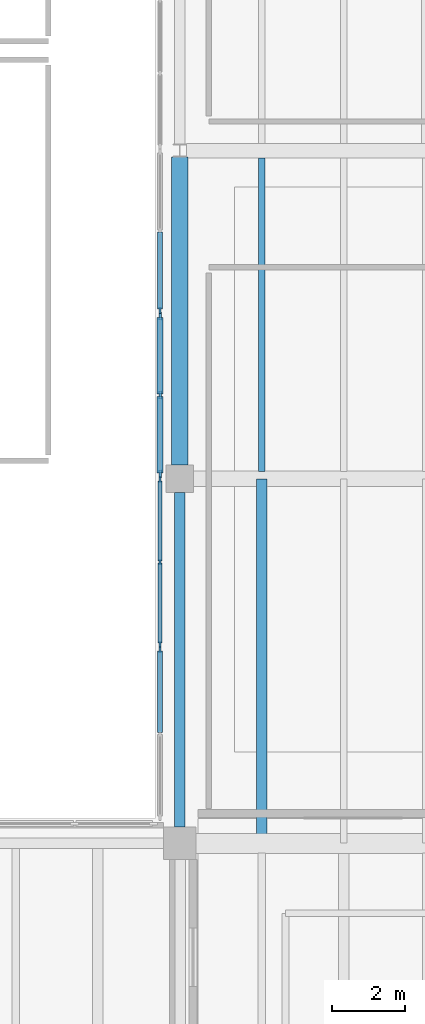
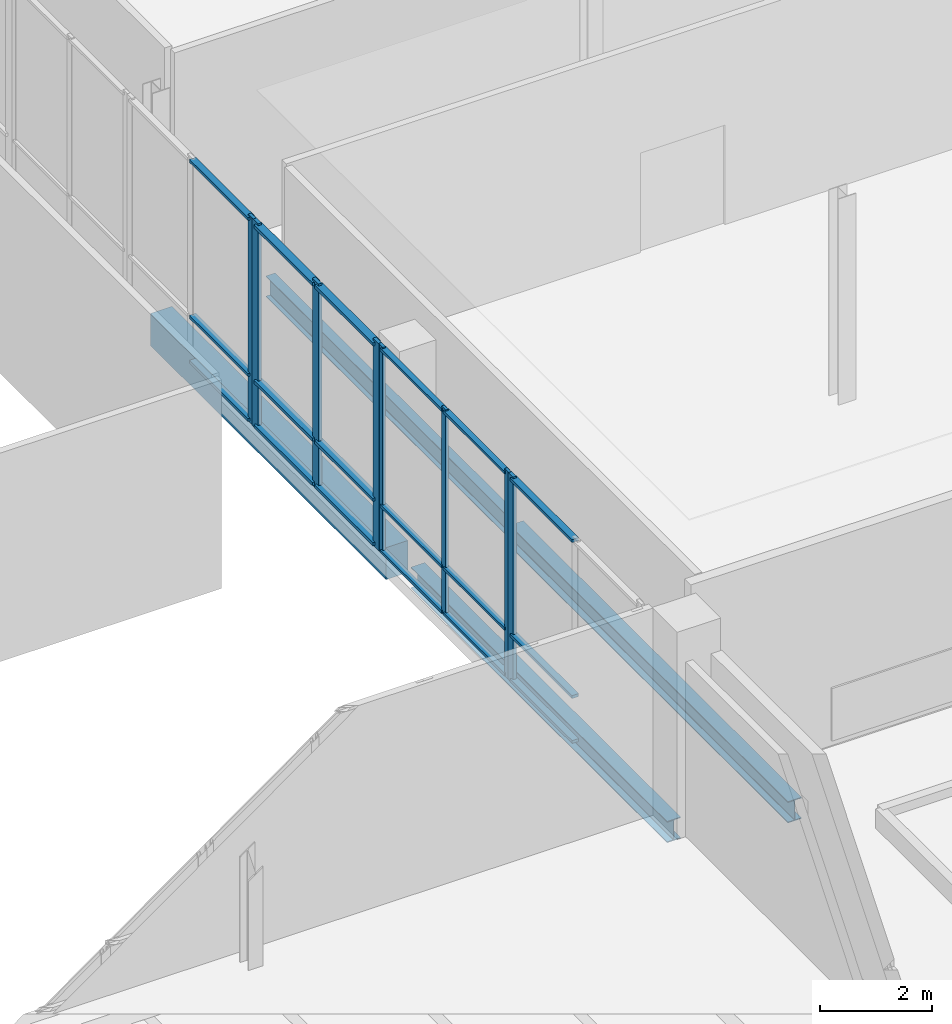
# One storey, part 11 of 30: 26 members, 4 beams, 4 elements without a shape of their own.
"""IFC4 building model written with IfcOpenShell, lengths in metres."""

from ifc_helpers import new_model, si_unit, direction, frame, origin, origin_2d, place, context, subcontext, project, spatial, rectangle, i_section, extrude, material, material_profile, profile_set, type_object, element, aggregate, save


model = new_model("IFC4")

# Units and contexts
model_context = context("Model", 3, precision=1e-05, world=origin(), true_north=direction((0.0, 1.0)))
body_context = subcontext(model_context, "Body", "Model", "MODEL_VIEW")
ifc_project = project(units=[si_unit("LENGTHUNIT", "METRE"), si_unit("AREAUNIT", "SQUARE_METRE"), si_unit("VOLUMEUNIT", "CUBIC_METRE"), si_unit("PLANEANGLEUNIT", "RADIAN"), si_unit("MASSUNIT", "GRAM", prefix="KILO")], contexts=[model_context])

# Site, building, storey
site_placement = place(None, origin())
site = spatial("IfcSite", under=ifc_project, at=site_placement, CompositionType="ELEMENT")
building_placement = place(site_placement, origin())
building = spatial("IfcBuilding", under=site, at=building_placement, Name="Trimount Lyric Opera House", CompositionType="ELEMENT")
storey_placement = place(building_placement, frame((0.0, 0.0, 24.800048828125)))
storey = spatial("IfcBuildingStorey", under=building, at=storey_placement, Name="L05", CompositionType="ELEMENT", Elevation=24.800048828125)

# Beams
ifc_material_1 = material(Name="Steel ASTM A992 Grade 50", Category="steel")
ifc_material_profile_1 = material_profile(ifc_material_1, i_section(OverallWidth=0.281982421875, OverallDepth=0.467041015625, WebThickness=0.01220703125, FlangeThickness=0.01953125, FilletRadius=0.012939453125, at=origin_2d()), Name="W18X86")
ifc_profile_set_1 = profile_set([ifc_material_profile_1], Name="Steel ASTM A992 Grade 50")
beam_type_1 = type_object("IfcBeamType", Name="J-03", PredefinedType="BEAM", material=ifc_profile_set_1)
beam_1_placement = place(storey_placement, frame((47.25, 74.011962890625, -0.58349609375), z_axis=(0.0, 1.0, 0.0), x_axis=(-1.0, 0.0, 0.0)))
element("IfcBeam", 1, at=beam_1_placement, inside=storey, type_object=beam_type_1, Name="L05 composite floor joist 1253", PredefinedType="BEAM", context=body_context, shape_type="SweptSolid", body=[
    extrude(i_section(OverallWidth=0.281982421875, OverallDepth=0.467041015625, WebThickness=0.01220703125, FlangeThickness=0.01953125, FilletRadius=0.012939453125, at=origin_2d()), origin(), (0.0, 0.0, 1.0), 9.97607421875),
])
ifc_material_2 = material(Name="Steel ASTM A992 Grade 50", Category="steel")
ifc_material_profile_2 = material_profile(ifc_material_2, i_section(OverallWidth=0.19091796875, OverallDepth=0.45703125, WebThickness=0.009033203125, FlangeThickness=0.014404296875, FilletRadius=0.010986328125, at=origin_2d()), Name="W18X50")
ifc_profile_set_2 = profile_set([ifc_material_profile_2], Name="Steel ASTM A992 Grade 50")
beam_type_2 = type_object("IfcBeamType", Name="J-04", PredefinedType="BEAM", material=ifc_profile_set_2)
beam_2_placement = place(storey_placement, frame((47.25, 84.20556640625, -0.488525390625), z_axis=(0.0, 1.0, 0.0), x_axis=(-1.0, 0.0, 0.0)))
element("IfcBeam", 2, at=beam_2_placement, inside=storey, type_object=beam_type_2, Name="L05 composite floor joist 1256", PredefinedType="BEAM", context=body_context, shape_type="SweptSolid", body=[
    extrude(i_section(OverallWidth=0.19091796875, OverallDepth=0.45703125, WebThickness=0.009033203125, FlangeThickness=0.014404296875, FilletRadius=0.010986328125, at=origin_2d()), origin(), (0.0, 0.0, 1.0), 8.597900390625),
])

# Curtain wall, members
ifc_material_3 = material(Name="Thermally Broken Aluminium and Low-E Glass", Category="aluminium")
curtain_wall_type = type_object("IfcCurtainWallType", Name="CW-03", PredefinedType="NOTDEFINED", material=ifc_material_3)
curtain_wall_1_placement = place(storey_placement, origin())
curtain_wall_1 = element("IfcCurtainWall", 3, at=curtain_wall_1_placement, inside=storey, type_object=curtain_wall_type, Name="L05 curtain wall 345", PredefinedType="NOTDEFINED")
ifc_material_4 = material(Name="Anodised Aluminium 6063-T6", Category="aluminium")
ifc_material_profile_3 = material_profile(ifc_material_4, rectangle(XDim=0.070068359375, YDim=0.219970703125, at=origin_2d()), Name="ALU-MULL-70X220")
ifc_profile_set_3 = profile_set([ifc_material_profile_3], Name="Anodised Aluminium 6063-T6")
member_type_1 = type_object("IfcMemberType", Name="ML-01", PredefinedType="MULLION", material=ifc_profile_set_3)
member_1_placement = place(storey_placement, frame((44.4599609375, 84.125, 0.0), z_axis=(0.0, 0.0, 1.0), x_axis=(-1.0, 0.0, 0.0)))
member_1 = element("IfcMember", 4, at=member_1_placement, type_object=member_type_1, Name="CW-03 mullion 1", PredefinedType="MULLION", context=body_context, shape_type="SweptSolid", body=[
    extrude(rectangle(XDim=0.070068359375, YDim=0.219970703125, at=origin_2d()), origin(), (0.0, 0.0, 1.0), 4.530029296875),
])
member_2_placement = place(storey_placement, frame((44.4599609375, 86.294921875, 0.0), z_axis=(0.0, 0.0, 1.0), x_axis=(-1.0, 0.0, 0.0)))
member_2 = element("IfcMember", 5, at=member_2_placement, type_object=member_type_1, Name="CW-03 mullion 2", PredefinedType="MULLION", context=body_context, shape_type="SweptSolid", body=[
    extrude(rectangle(XDim=0.070068359375, YDim=0.219970703125, at=origin_2d()), origin(), (0.0, 0.0, 1.0), 4.530029296875),
])
member_3_placement = place(storey_placement, frame((44.4599609375, 88.465087890625, 0.0), z_axis=(0.0, 0.0, 1.0), x_axis=(-1.0, 0.0, 0.0)))
member_3 = element("IfcMember", 6, at=member_3_placement, type_object=member_type_1, Name="CW-03 mullion 3", PredefinedType="MULLION", context=body_context, shape_type="SweptSolid", body=[
    extrude(rectangle(XDim=0.070068359375, YDim=0.219970703125, at=origin_2d()), origin(), (0.0, 0.0, 1.0), 4.530029296875),
])

# Curtain wall, member
curtain_wall_2_placement = place(storey_placement, origin())
curtain_wall_2 = element("IfcCurtainWall", 7, at=curtain_wall_2_placement, inside=storey, type_object=curtain_wall_type, Name="L05 curtain wall 343", PredefinedType="NOTDEFINED")
ifc_material_5 = material(Name="Anodised Aluminium 6063-T6", Category="aluminium")
ifc_material_profile_4 = material_profile(ifc_material_5, rectangle(XDim=0.06494140625, YDim=0.179931640625, at=origin_2d()), Name="ALU-MULL-65X180")
ifc_profile_set_4 = profile_set([ifc_material_profile_4], Name="Anodised Aluminium 6063-T6")
member_type_2 = type_object("IfcMemberType", Name="ML-02", PredefinedType="MULLION", material=ifc_profile_set_4)
member_4_placement = place(storey_placement, frame((44.4599609375, 79.3076171875, 0.0), z_axis=(0.0, 0.0, 1.0), x_axis=(-1.0, 0.0, 0.0)))
member_4 = element("IfcMember", 8, at=member_4_placement, type_object=member_type_2, Name="CW-03 mullion 3", PredefinedType="MULLION", context=body_context, shape_type="SweptSolid", body=[
    extrude(rectangle(XDim=0.06494140625, YDim=0.179931640625, at=origin_2d()), origin(), (0.0, 0.0, 1.0), 4.530029296875),
])

curtain_wall_3_placement = place(storey_placement, origin())
curtain_wall_3 = element("IfcCurtainWall", 9, at=curtain_wall_3_placement, inside=storey, type_object=curtain_wall_type, Name="L05 curtain wall 346", PredefinedType="NOTDEFINED")
member_5_placement = place(storey_placement, frame((44.4599609375, 88.62255859375, 0.0), z_axis=(0.0, 0.0, 1.0), x_axis=(-1.0, 0.0, 0.0)))
member_5 = element("IfcMember", 10, at=member_5_placement, type_object=member_type_2, Name="CW-03 mullion 1", PredefinedType="MULLION", context=body_context, shape_type="SweptSolid", body=[
    extrude(rectangle(XDim=0.06494140625, YDim=0.179931640625, at=origin_2d()), origin(), (0.0, 0.0, 1.0), 4.530029296875),
])

# Curtain wall, members
curtain_wall_4_placement = place(storey_placement, origin())
curtain_wall_4 = element("IfcCurtainWall", 11, at=curtain_wall_4_placement, inside=storey, type_object=curtain_wall_type, Name="L05 curtain wall 344", PredefinedType="NOTDEFINED")
ifc_material_6 = material(Name="Anodised Aluminium 6063-T6", Category="aluminium")
ifc_material_profile_5 = material_profile(ifc_material_6, rectangle(XDim=0.06005859375, YDim=0.14990234375, at=origin_2d()), Name="ALU-MULL-60X150")
ifc_profile_set_5 = profile_set([ifc_material_profile_5], Name="Anodised Aluminium 6063-T6")
member_type_3 = type_object("IfcMemberType", Name="ML-03", PredefinedType="MULLION", material=ifc_profile_set_5)
member_6_placement = place(storey_placement, frame((44.4599609375, 79.4599609375, 0.0), z_axis=(0.0, 0.0, 1.0), x_axis=(-1.0, 0.0, 0.0)))
member_6 = element("IfcMember", 12, at=member_6_placement, type_object=member_type_3, Name="CW-03 mullion 1", PredefinedType="MULLION", context=body_context, shape_type="SweptSolid", body=[
    extrude(rectangle(XDim=0.06005859375, YDim=0.14990234375, at=origin_2d()), origin(), (0.0, 0.0, 1.0), 4.530029296875),
])
member_7_placement = place(storey_placement, frame((44.4599609375, 81.715087890625, 0.0), z_axis=(0.0, 0.0, 1.0), x_axis=(-1.0, 0.0, 0.0)))
member_7 = element("IfcMember", 13, at=member_7_placement, type_object=member_type_3, Name="CW-03 mullion 2", PredefinedType="MULLION", context=body_context, shape_type="SweptSolid", body=[
    extrude(rectangle(XDim=0.06005859375, YDim=0.14990234375, at=origin_2d()), origin(), (0.0, 0.0, 1.0), 4.530029296875),
])
member_8_placement = place(storey_placement, frame((44.4599609375, 83.969970703125, 0.0), z_axis=(0.0, 0.0, 1.0), x_axis=(-1.0, 0.0, 0.0)))
member_8 = element("IfcMember", 14, at=member_8_placement, type_object=member_type_3, Name="CW-03 mullion 3", PredefinedType="MULLION", context=body_context, shape_type="SweptSolid", body=[
    extrude(rectangle(XDim=0.06005859375, YDim=0.14990234375, at=origin_2d()), origin(), (0.0, 0.0, 1.0), 4.530029296875),
])

# Beams
ifc_material_7 = material(Name="Steel ASTM A992 Grade 50", Category="steel")
ifc_material_profile_6 = material_profile(ifc_material_7, i_section(OverallWidth=0.281982421875, OverallDepth=0.467041015625, WebThickness=0.01220703125, FlangeThickness=0.01953125, FilletRadius=0.012939453125, at=origin_2d()), Name="W18X86")
ifc_profile_set_6 = profile_set([ifc_material_profile_6], Name="Steel ASTM A992 Grade 50")
beam_type_3 = type_object("IfcBeamType", Name="SP-01", PredefinedType="SPANDREL", material=ifc_profile_set_6)
beam_3_placement = place(storey_placement, frame((45.0, 74.449951171875, -0.49365234375), z_axis=(0.0, 1.0, 0.0), x_axis=(-1.0, 0.0, 0.0)))
element("IfcBeam", 15, at=beam_3_placement, inside=storey, type_object=beam_type_3, Name="L05 girder Y-1302", PredefinedType="SPANDREL", context=body_context, shape_type="SweptSolid", body=[
    extrude(i_section(OverallWidth=0.281982421875, OverallDepth=0.467041015625, WebThickness=0.01220703125, FlangeThickness=0.01953125, FilletRadius=0.012939453125, at=origin_2d()), origin(), (0.0, 0.0, 1.0), 9.175048828125),
])
ifc_material_8 = material(Name="Concrete C40/50", Category="concrete")
ifc_material_profile_7 = material_profile(ifc_material_8, rectangle(XDim=0.449951171875, YDim=0.699951171875, at=origin_2d()), Name="RC450X700")
ifc_profile_set_7 = profile_set([ifc_material_profile_7], Name="Concrete C40/50")
beam_type_4 = type_object("IfcBeamType", Name="SP-02", PredefinedType="SPANDREL", material=ifc_profile_set_7)
beam_4_placement = place(storey_placement, frame((45.0, 84.375, -0.610107421875), z_axis=(0.0, 1.0, 0.0), x_axis=(-1.0, 0.0, 0.0)))
element("IfcBeam", 16, at=beam_4_placement, inside=storey, type_object=beam_type_4, Name="L05 girder Y-1303", PredefinedType="SPANDREL", context=body_context, shape_type="SweptSolid", body=[
    extrude(rectangle(XDim=0.449951171875, YDim=0.699951171875, at=origin_2d()), origin(), (0.0, 0.0, 1.0), 8.447021484375),
])

# Member
ifc_material_9 = material(Name="Anodised Aluminium 6063-T6", Category="aluminium")
ifc_material_profile_8 = material_profile(ifc_material_9, rectangle(XDim=0.159912109375, YDim=0.070068359375, at=origin_2d()), Name="ALU-TRAN-70X160")
ifc_profile_set_8 = profile_set([ifc_material_profile_8], Name="Anodised Aluminium 6063-T6")
member_type_4 = type_object("IfcMemberType", Name="TR-01", PredefinedType="USERDEFINED", material=ifc_profile_set_8)
member_9_placement = place(storey_placement, frame((44.4599609375, 84.159912109375, 0.079833984375), z_axis=(0.0, 1.0, 0.0), x_axis=(-1.0, 0.0, 0.0)))
member_9 = element("IfcMember", 17, at=member_9_placement, type_object=member_type_4, Name="CW-03 transom 1.1", ObjectType="TRANSOM", PredefinedType="USERDEFINED", context=body_context, shape_type="SweptSolid", body=[
    extrude(rectangle(XDim=0.159912109375, YDim=0.070068359375, at=origin_2d()), origin(), (0.0, 0.0, 1.0), 2.10009765625),
])

member_10_placement = place(storey_placement, frame((44.4599609375, 84.159912109375, 1.050048828125), z_axis=(0.0, 1.0, 0.0), x_axis=(-1.0, 0.0, 0.0)))
member_10 = element("IfcMember", 18, at=member_10_placement, type_object=member_type_4, Name="CW-03 transom 1.2", ObjectType="TRANSOM", PredefinedType="USERDEFINED", context=body_context, shape_type="SweptSolid", body=[
    extrude(rectangle(XDim=0.159912109375, YDim=0.070068359375, at=origin_2d()), origin(), (0.0, 0.0, 1.0), 2.10009765625),
])

member_11_placement = place(storey_placement, frame((44.4599609375, 84.159912109375, 4.449951171875), z_axis=(0.0, 1.0, 0.0), x_axis=(-1.0, 0.0, 0.0)))
member_11 = element("IfcMember", 19, at=member_11_placement, type_object=member_type_4, Name="CW-03 transom 1.3", ObjectType="TRANSOM", PredefinedType="USERDEFINED", context=body_context, shape_type="SweptSolid", body=[
    extrude(rectangle(XDim=0.159912109375, YDim=0.070068359375, at=origin_2d()), origin(), (0.0, 0.0, 1.0), 2.10009765625),
])

member_12_placement = place(storey_placement, frame((44.4599609375, 86.330078125, 0.079833984375), z_axis=(0.0, 1.0, 0.0), x_axis=(-1.0, 0.0, 0.0)))
member_12 = element("IfcMember", 20, at=member_12_placement, type_object=member_type_4, Name="CW-03 transom 2.1", ObjectType="TRANSOM", PredefinedType="USERDEFINED", context=body_context, shape_type="SweptSolid", body=[
    extrude(rectangle(XDim=0.159912109375, YDim=0.070068359375, at=origin_2d()), origin(), (0.0, 0.0, 1.0), 2.099853515625),
])

member_13_placement = place(storey_placement, frame((44.4599609375, 86.330078125, 1.050048828125), z_axis=(0.0, 1.0, 0.0), x_axis=(-1.0, 0.0, 0.0)))
member_13 = element("IfcMember", 21, at=member_13_placement, type_object=member_type_4, Name="CW-03 transom 2.2", ObjectType="TRANSOM", PredefinedType="USERDEFINED", context=body_context, shape_type="SweptSolid", body=[
    extrude(rectangle(XDim=0.159912109375, YDim=0.070068359375, at=origin_2d()), origin(), (0.0, 0.0, 1.0), 2.099853515625),
])

member_14_placement = place(storey_placement, frame((44.4599609375, 86.330078125, 4.449951171875), z_axis=(0.0, 1.0, 0.0), x_axis=(-1.0, 0.0, 0.0)))
member_14 = element("IfcMember", 22, at=member_14_placement, type_object=member_type_4, Name="CW-03 transom 2.3", ObjectType="TRANSOM", PredefinedType="USERDEFINED", context=body_context, shape_type="SweptSolid", body=[
    extrude(rectangle(XDim=0.159912109375, YDim=0.070068359375, at=origin_2d()), origin(), (0.0, 0.0, 1.0), 2.099853515625),
])

aggregate(curtain_wall_1, [member_1, member_2, member_3, member_9, member_10, member_11, member_12, member_13, member_14])

ifc_material_10 = material(Name="Anodised Aluminium 6063-T6", Category="aluminium")
ifc_material_profile_9 = material_profile(ifc_material_10, rectangle(XDim=0.135009765625, YDim=0.06494140625, at=origin_2d()), Name="ALU-TRAN-65X135")
ifc_profile_set_9 = profile_set([ifc_material_profile_9], Name="Anodised Aluminium 6063-T6")
member_type_5 = type_object("IfcMemberType", Name="TR-02", PredefinedType="USERDEFINED", material=ifc_profile_set_9)
member_15_placement = place(storey_placement, frame((44.4599609375, 77.04248046875, 0.0673828125), z_axis=(0.0, 1.0, 0.0), x_axis=(-1.0, 0.0, 0.0)))
member_15 = element("IfcMember", 23, at=member_15_placement, type_object=member_type_5, Name="CW-03 transom 2.1", ObjectType="TRANSOM", PredefinedType="USERDEFINED", context=body_context, shape_type="SweptSolid", body=[
    extrude(rectangle(XDim=0.135009765625, YDim=0.06494140625, at=origin_2d()), origin(), (0.0, 0.0, 1.0), 2.232421875),
])

member_16_placement = place(storey_placement, frame((44.4599609375, 77.04248046875, 1.050048828125), z_axis=(0.0, 1.0, 0.0), x_axis=(-1.0, 0.0, 0.0)))
member_16 = element("IfcMember", 24, at=member_16_placement, type_object=member_type_5, Name="CW-03 transom 2.2", ObjectType="TRANSOM", PredefinedType="USERDEFINED", context=body_context, shape_type="SweptSolid", body=[
    extrude(rectangle(XDim=0.135009765625, YDim=0.06494140625, at=origin_2d()), origin(), (0.0, 0.0, 1.0), 2.232421875),
])

member_17_placement = place(storey_placement, frame((44.4599609375, 77.04248046875, 4.46240234375), z_axis=(0.0, 1.0, 0.0), x_axis=(-1.0, 0.0, 0.0)))
member_17 = element("IfcMember", 25, at=member_17_placement, type_object=member_type_5, Name="CW-03 transom 2.3", ObjectType="TRANSOM", PredefinedType="USERDEFINED", context=body_context, shape_type="SweptSolid", body=[
    extrude(rectangle(XDim=0.135009765625, YDim=0.06494140625, at=origin_2d()), origin(), (0.0, 0.0, 1.0), 2.232421875),
])

aggregate(curtain_wall_2, [member_4, member_15, member_16, member_17])

member_18_placement = place(storey_placement, frame((44.4599609375, 88.655029296875, 0.0673828125), z_axis=(0.0, 1.0, 0.0), x_axis=(-1.0, 0.0, 0.0)))
member_18 = element("IfcMember", 26, at=member_18_placement, type_object=member_type_5, Name="CW-03 transom 1.1", ObjectType="TRANSOM", PredefinedType="USERDEFINED", context=body_context, shape_type="SweptSolid", body=[
    extrude(rectangle(XDim=0.135009765625, YDim=0.06494140625, at=origin_2d()), origin(), (0.0, 0.0, 1.0), 2.107421875),
])

member_19_placement = place(storey_placement, frame((44.4599609375, 88.655029296875, 1.050048828125), z_axis=(0.0, 1.0, 0.0), x_axis=(-1.0, 0.0, 0.0)))
member_19 = element("IfcMember", 27, at=member_19_placement, type_object=member_type_5, Name="CW-03 transom 1.2", ObjectType="TRANSOM", PredefinedType="USERDEFINED", context=body_context, shape_type="SweptSolid", body=[
    extrude(rectangle(XDim=0.135009765625, YDim=0.06494140625, at=origin_2d()), origin(), (0.0, 0.0, 1.0), 2.107421875),
])

member_20_placement = place(storey_placement, frame((44.4599609375, 88.655029296875, 4.46240234375), z_axis=(0.0, 1.0, 0.0), x_axis=(-1.0, 0.0, 0.0)))
member_20 = element("IfcMember", 28, at=member_20_placement, type_object=member_type_5, Name="CW-03 transom 1.3", ObjectType="TRANSOM", PredefinedType="USERDEFINED", context=body_context, shape_type="SweptSolid", body=[
    extrude(rectangle(XDim=0.135009765625, YDim=0.06494140625, at=origin_2d()), origin(), (0.0, 0.0, 1.0), 2.107421875),
])

aggregate(curtain_wall_3, [member_5, member_18, member_19, member_20])

ifc_material_11 = material(Name="Anodised Aluminium 6063-T6", Category="aluminium")
ifc_material_profile_10 = material_profile(ifc_material_11, rectangle(XDim=0.114990234375, YDim=0.06005859375, at=origin_2d()), Name="ALU-TRAN-60X115")
ifc_profile_set_10 = profile_set([ifc_material_profile_10], Name="Anodised Aluminium 6063-T6")
member_type_6 = type_object("IfcMemberType", Name="TR-03", PredefinedType="USERDEFINED", material=ifc_profile_set_10)
member_21_placement = place(storey_placement, frame((44.4599609375, 79.489990234375, 0.057373046875), z_axis=(0.0, 1.0, 0.0), x_axis=(-1.0, 0.0, 0.0)))
member_21 = element("IfcMember", 29, at=member_21_placement, type_object=member_type_6, Name="CW-03 transom 1.1", ObjectType="TRANSOM", PredefinedType="USERDEFINED", context=body_context, shape_type="SweptSolid", body=[
    extrude(rectangle(XDim=0.114990234375, YDim=0.06005859375, at=origin_2d()), origin(), (0.0, 0.0, 1.0), 2.195068359375),
])

member_22_placement = place(storey_placement, frame((44.4599609375, 79.489990234375, 1.050048828125), z_axis=(0.0, 1.0, 0.0), x_axis=(-1.0, 0.0, 0.0)))
member_22 = element("IfcMember", 30, at=member_22_placement, type_object=member_type_6, Name="CW-03 transom 1.2", ObjectType="TRANSOM", PredefinedType="USERDEFINED", context=body_context, shape_type="SweptSolid", body=[
    extrude(rectangle(XDim=0.114990234375, YDim=0.06005859375, at=origin_2d()), origin(), (0.0, 0.0, 1.0), 2.195068359375),
])

member_23_placement = place(storey_placement, frame((44.4599609375, 79.489990234375, 4.472412109375), z_axis=(0.0, 1.0, 0.0), x_axis=(-1.0, 0.0, 0.0)))
member_23 = element("IfcMember", 31, at=member_23_placement, type_object=member_type_6, Name="CW-03 transom 1.3", ObjectType="TRANSOM", PredefinedType="USERDEFINED", context=body_context, shape_type="SweptSolid", body=[
    extrude(rectangle(XDim=0.114990234375, YDim=0.06005859375, at=origin_2d()), origin(), (0.0, 0.0, 1.0), 2.195068359375),
])

member_24_placement = place(storey_placement, frame((44.4599609375, 81.7451171875, 0.057373046875), z_axis=(0.0, 1.0, 0.0), x_axis=(-1.0, 0.0, 0.0)))
member_24 = element("IfcMember", 32, at=member_24_placement, type_object=member_type_6, Name="CW-03 transom 2.1", ObjectType="TRANSOM", PredefinedType="USERDEFINED", context=body_context, shape_type="SweptSolid", body=[
    extrude(rectangle(XDim=0.114990234375, YDim=0.06005859375, at=origin_2d()), origin(), (0.0, 0.0, 1.0), 2.19482421875),
])

member_25_placement = place(storey_placement, frame((44.4599609375, 81.7451171875, 1.050048828125), z_axis=(0.0, 1.0, 0.0), x_axis=(-1.0, 0.0, 0.0)))
member_25 = element("IfcMember", 33, at=member_25_placement, type_object=member_type_6, Name="CW-03 transom 2.2", ObjectType="TRANSOM", PredefinedType="USERDEFINED", context=body_context, shape_type="SweptSolid", body=[
    extrude(rectangle(XDim=0.114990234375, YDim=0.06005859375, at=origin_2d()), origin(), (0.0, 0.0, 1.0), 2.19482421875),
])

member_26_placement = place(storey_placement, frame((44.4599609375, 81.7451171875, 4.472412109375), z_axis=(0.0, 1.0, 0.0), x_axis=(-1.0, 0.0, 0.0)))
member_26 = element("IfcMember", 34, at=member_26_placement, type_object=member_type_6, Name="CW-03 transom 2.3", ObjectType="TRANSOM", PredefinedType="USERDEFINED", context=body_context, shape_type="SweptSolid", body=[
    extrude(rectangle(XDim=0.114990234375, YDim=0.06005859375, at=origin_2d()), origin(), (0.0, 0.0, 1.0), 2.19482421875),
])

aggregate(curtain_wall_4, [member_6, member_7, member_8, member_21, member_22, member_23, member_24, member_25, member_26])

save(model, "model.ifc")
